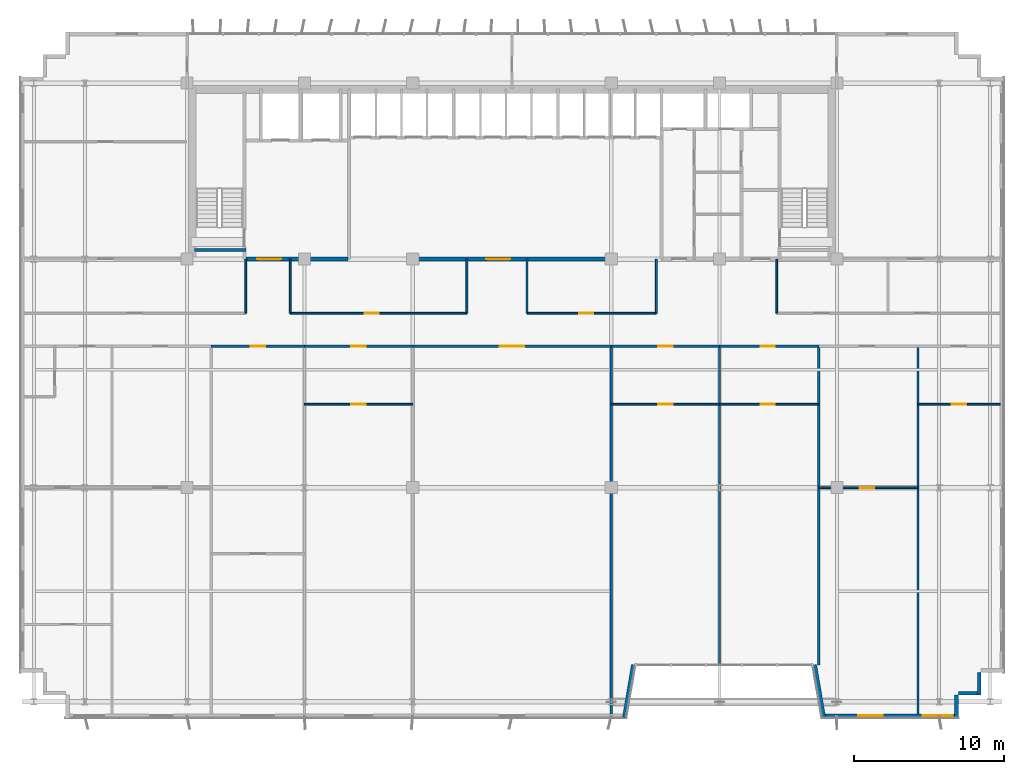
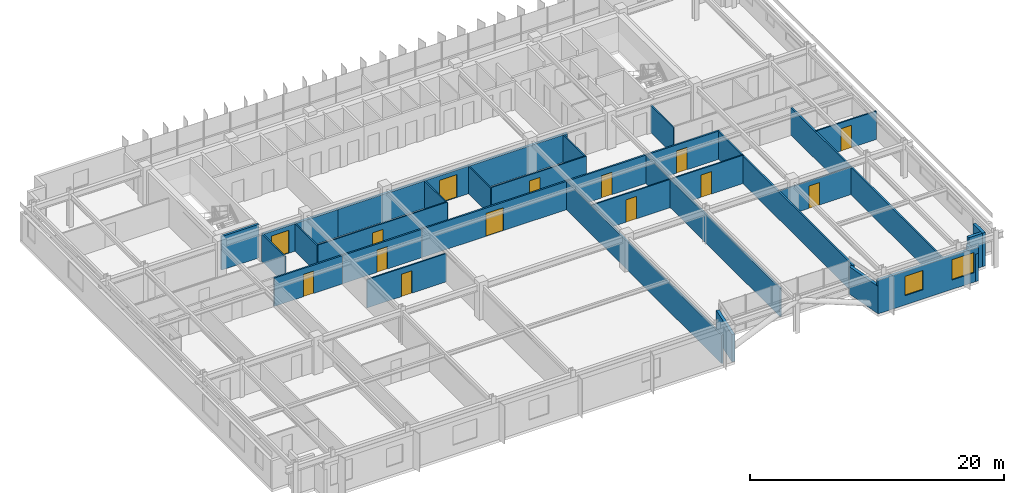
# One storey, part 20 of 26: 31 walls, 14 doors, 2 windows, 16 openings.
"""IFC4 building model written with IfcOpenShell, lengths in metres."""

from ifc_helpers import new_model, si_unit, direction, frame, frame_2d, origin, place, context, subcontext, project, spatial, rectangle, extrude, source, transform, mapped, material, layer, layer_set, type_object, element, fill, save


model = new_model("IFC4")

# Units and contexts
model_context = context("Model", 3, precision=1e-05, world=origin(), true_north=direction((0.0, 1.0)))
body_context = subcontext(model_context, "Body", "Model", "MODEL_VIEW")
ifc_project = project(units=[si_unit("LENGTHUNIT", "METRE"), si_unit("AREAUNIT", "SQUARE_METRE"), si_unit("VOLUMEUNIT", "CUBIC_METRE"), si_unit("PLANEANGLEUNIT", "RADIAN"), si_unit("MASSUNIT", "GRAM", prefix="KILO")], contexts=[model_context])

# Site, building, storey
site_placement = place(None, origin())
site = spatial("IfcSite", under=ifc_project, at=site_placement, CompositionType="ELEMENT")
building_placement = place(site_placement, origin())
building = spatial("IfcBuilding", under=site, at=building_placement, Name="Trelvane Seafront Commons", CompositionType="ELEMENT")
storey_placement = place(building_placement, frame((0.0, 0.0, 128.5)))
storey = spatial("IfcBuildingStorey", under=building, at=storey_placement, Name="L33", CompositionType="ELEMENT", Elevation=128.5)

# Walls
ifc_material_1 = material(Name="Precast concrete C40/50", Category="concrete")
ifc_layer_1 = layer(ifc_material_1, 0.260009765625, Name="ARCH-WALL-EXT260")
ifc_layer_set_1 = layer_set([ifc_layer_1], Name="Precast concrete C40/50")
wall_type_1 = type_object("IfcWallType", Name="ARCH-WALL-EXT260", PredefinedType="SOLIDWALL", material=ifc_layer_set_1)
for number, where, z_axis, x_axis, name in (
    (1, (68.27001953125, 5.89990234375, 0.0), (0.0, 0.0, 1.0), (0.0, -1.0, 0.0), "EW-L33-00645"),
    (2, (68.39990234375, 4.530029296875, 0.0), (0.0, 0.0, 1.0), (-1.0, 0.0, 0.0), "EW-L33-00646"),
):
    element("IfcWall", number, at=place(storey_placement, frame(where, z_axis=z_axis, x_axis=x_axis)), inside=storey, type_object=wall_type_1, Name=name, PredefinedType="SOLIDWALL", context=body_context, shape_type="SweptSolid", body=[
        extrude(rectangle(XDim=1.5, YDim=0.260009765625, at=frame_2d((0.75, 0.0))), origin(), (0.0, 0.0, 1.0), 3.219970703125),
    ])
wall_1_placement = place(storey_placement, frame((66.77001953125, 4.39990234375, 0.0), z_axis=(0.0, 0.0, 1.0), x_axis=(0.0, -1.0, 0.0)))
element("IfcWall", 3, at=wall_1_placement, inside=storey, type_object=wall_type_1, Name="EW-L33-00647", PredefinedType="SOLIDWALL", context=body_context, shape_type="SweptSolid", body=[
    extrude(rectangle(XDim=1.5, YDim=0.260009765625, at=frame_2d((0.75, 0.0))), origin(), (0.0, 0.0, 1.0), 2.632080078125),
])

# Wall, openings, windows
wall_2_placement = place(storey_placement, frame((66.89990234375, 3.030029296875, 0.0), z_axis=(0.0, 0.0, 1.0), x_axis=(-1.0, 0.0, 0.0)))
wall_2 = element("IfcWall", 4, at=wall_2_placement, inside=storey, type_object=wall_type_1, Name="EW-L33-00648", PredefinedType="SOLIDWALL", context=body_context, shape_type="SweptSolid", body=[
    extrude(rectangle(XDim=9.099853515625, YDim=0.260009765625, at=frame_2d((4.5498046875, 0.0))), origin(), (0.0, 0.0, 1.0), 3.219970703125),
])
opening_1_placement = place(wall_2_placement, frame((0.39501953125, 0.0, 0.89990234375)))
opening_1 = element("IfcOpeningElement", 5, at=opening_1_placement, cuts=wall_2, Name="Opening W06", PredefinedType="OPENING", context=body_context, shape_type="SweptSolid", body=[
    extrude(rectangle(XDim=2.0, YDim=1.949951171875, at=frame_2d((1.0, 0.97509765625))), frame((0.0, 0.139892578125, 0.0), z_axis=(0.0, -1.0, 0.0), x_axis=(1.0, 0.0, 0.0)), (0.0, 0.0, 1.0), 0.280029296875),
])
opening_2_placement = place(wall_2_placement, frame((5.030029296875, 0.0, 0.89990234375)))
opening_2 = element("IfcOpeningElement", 6, at=opening_2_placement, cuts=wall_2, Name="Opening W07", PredefinedType="OPENING", context=body_context, shape_type="SweptSolid", body=[
    extrude(rectangle(XDim=1.64990234375, YDim=1.85009765625, at=frame_2d((0.824951171875, 0.925048828125))), frame((0.0, 0.139892578125, 0.0), z_axis=(0.0, -1.0, 0.0), x_axis=(1.0, 0.0, 0.0)), (0.0, 0.0, 1.0), 0.280029296875),
])
ifc_material_2 = material(Name="Low-E coastal double glazing", Category="glass")
window_type_1 = type_object("IfcWindowType", Name="ARCH-WIN-W06", PartitioningType="SINGLE_PANEL", PredefinedType="WINDOW", material=ifc_material_2)
shared_shape_1 = source(origin(), body_context, "Body", "SweptSolid", [
    extrude(rectangle(XDim=2.0, YDim=1.949951171875, at=frame_2d((1.0, 0.97509765625))), frame((0.0, 0.030029296875, 0.0), z_axis=(0.0, -1.0, 0.0), x_axis=(1.0, 0.0, 0.0)), (0.0, 0.0, 1.0), 0.06005859375),
])
window_1_placement = place(opening_1_placement, origin())
window_1 = element("IfcWindow", 7, at=window_1_placement, inside=storey, type_object=window_type_1, Name="WIN-L33-00752", OverallHeight=1.949951171875, OverallWidth=2.0, PartitioningType="SINGLE_PANEL", PredefinedType="WINDOW", context=body_context, shape_type="MappedRepresentation", body=[
    mapped(shared_shape_1, transform((0.0, 0.0, 0.0), x_axis=(1.0, 0.0, 0.0), y_axis=(0.0, 1.0, 0.0), z_axis=(0.0, 0.0, 1.0), scale=1.0)),
])
fill(opening_1, window_1)
window_type_2 = type_object("IfcWindowType", Name="ARCH-WIN-W07", PartitioningType="SINGLE_PANEL", PredefinedType="WINDOW", material=ifc_material_2)
shared_shape_2 = source(origin(), body_context, "Body", "SweptSolid", [
    extrude(rectangle(XDim=1.64990234375, YDim=1.85009765625, at=frame_2d((0.824951171875, 0.925048828125))), frame((0.0, 0.030029296875, 0.0), z_axis=(0.0, -1.0, 0.0), x_axis=(1.0, 0.0, 0.0)), (0.0, 0.0, 1.0), 0.06005859375),
])
window_2_placement = place(opening_2_placement, origin())
window_2 = element("IfcWindow", 8, at=window_2_placement, inside=storey, type_object=window_type_2, Name="WIN-L33-00753", OverallHeight=1.85009765625, OverallWidth=1.64990234375, PartitioningType="SINGLE_PANEL", PredefinedType="WINDOW", context=body_context, shape_type="MappedRepresentation", body=[
    mapped(shared_shape_2, transform((0.0, 0.0, 0.0), x_axis=(1.0, 0.0, 0.0), y_axis=(0.0, 1.0, 0.0), z_axis=(0.0, 0.0, 1.0), scale=1.0)),
])
fill(opening_2, window_2)

# Walls
for number, where, z_axis, x_axis, name in (
    (9, (57.927978515625, 2.922119140625, 0.0), (0.0, 0.0, 1.0), (-0.168923741424, 0.98562912375, 0.0), "EW-L33-00649"),
    (10, (45.27197265625, 6.422119140625, 0.0), (0.0, 0.0, 1.0), (-0.168990530437, -0.98561767467, 0.0), "EW-L33-00650"),
):
    element("IfcWall", number, at=place(storey_placement, frame(where, z_axis=z_axis, x_axis=x_axis)), inside=storey, type_object=wall_type_1, Name=name, PredefinedType="SOLIDWALL", context=body_context, shape_type="SweptSolid", body=[
        extrude(rectangle(XDim=3.551025390625, YDim=0.260009765625, at=frame_2d((1.775390625, 0.0))), origin(), (0.0, 0.0, 1.0), 2.632080078125),
    ])

# Wall, opening, door
ifc_material_3 = material(Name="Concrete C40/50", Category="concrete")
ifc_layer_2 = layer(ifc_material_3, 0.25, Name="ARCH-WALL-FIRE250")
ifc_layer_set_2 = layer_set([ifc_layer_2], Name="Concrete C40/50")
wall_type_2 = type_object("IfcWallType", Name="ARCH-WALL-FIRE250", PredefinedType="PARTITIONING", material=ifc_layer_set_2)
wall_3_placement = place(storey_placement, frame((19.5, 33.39990234375, 0.0), z_axis=(0.0, 0.0, 1.0), x_axis=(1.0, 0.0, 0.0)))
wall_3 = element("IfcWall", 11, at=wall_3_placement, inside=storey, type_object=wall_type_2, Name="W-L33-CS-FFL-013", PredefinedType="PARTITIONING", context=body_context, shape_type="SweptSolid", body=[
    extrude(rectangle(XDim=6.800048828125, YDim=0.25, at=frame_2d((3.39990234375, 0.0))), origin(), (0.0, 0.0, 1.0), 2.632080078125),
])
opening_3_placement = place(wall_3_placement, frame((0.75, 0.0, 0.0)))
opening_3 = element("IfcOpeningElement", 12, at=opening_3_placement, cuts=wall_3, Name="Opening FD-L33-05", PredefinedType="OPENING", context=body_context, shape_type="SweptSolid", body=[
    extrude(rectangle(XDim=1.60009765625, YDim=2.199951171875, at=frame_2d((0.800048828125, 1.10009765625))), frame((0.0, 0.135009765625, 0.0), z_axis=(0.0, -1.0, 0.0), x_axis=(1.0, 0.0, 0.0)), (0.0, 0.0, 1.0), 0.27001953125),
])
ifc_material_4 = material(Name="Powder-coated aluminium frame", Category="aluminium")
door_type_1 = type_object("IfcDoorType", Name="ARCH-DR-FD60-1600", OperationType="DOUBLE_DOOR_SINGLE_SWING", PredefinedType="DOOR", material=ifc_material_4)
shared_shape_3 = source(origin(), body_context, "Body", "SweptSolid", [
    extrude(rectangle(XDim=1.60009765625, YDim=2.199951171875, at=frame_2d((0.800048828125, 1.10009765625))), frame((0.0, 0.02490234375, 0.0), z_axis=(0.0, -1.0, 0.0), x_axis=(1.0, 0.0, 0.0)), (0.0, 0.0, 1.0), 0.050048828125),
])
door_1_placement = place(opening_3_placement, origin())
door_1 = element("IfcDoor", 13, at=door_1_placement, inside=storey, type_object=door_type_1, Name="L33 Firefighting Lift Lobby Double Fire Door", OperationType="DOUBLE_DOOR_SINGLE_SWING", OverallHeight=2.199951171875, OverallWidth=1.60009765625, PredefinedType="DOOR", context=body_context, shape_type="MappedRepresentation", body=[
    mapped(shared_shape_3, transform((0.0, 0.0, 0.0), x_axis=(1.0, 0.0, 0.0), y_axis=(0.0, 1.0, 0.0), z_axis=(0.0, 0.0, 1.0), scale=1.0)),
])
fill(opening_3, door_1)

wall_4_placement = place(storey_placement, frame((26.300048828125, 33.39990234375, 0.0), z_axis=(0.0, 0.0, 1.0), x_axis=(1.0, 0.0, 0.0)))
wall_4 = element("IfcWall", 14, at=wall_4_placement, inside=storey, type_object=wall_type_2, Name="W-L33-CS-PAX-029", PredefinedType="PARTITIONING", context=body_context, shape_type="SweptSolid", body=[
    extrude(rectangle(XDim=20.849853515625, YDim=0.25, at=frame_2d((10.4248046875, 0.0))), origin(), (0.0, 0.0, 1.0), 2.632080078125),
])
opening_4_placement = place(wall_4_placement, frame((9.199951171875, 0.0, 0.0)))
opening_4 = element("IfcOpeningElement", 15, at=opening_4_placement, cuts=wall_4, Name="Opening FD-L33-18", PredefinedType="OPENING", context=body_context, shape_type="SweptSolid", body=[
    extrude(rectangle(XDim=1.60009765625, YDim=2.199951171875, at=frame_2d((0.800048828125, 1.10009765625))), frame((0.0, 0.135009765625, 0.0), z_axis=(0.0, -1.0, 0.0), x_axis=(1.0, 0.0, 0.0)), (0.0, 0.0, 1.0), 0.27001953125),
])
door_2_placement = place(opening_4_placement, origin())
door_2 = element("IfcDoor", 16, at=door_2_placement, inside=storey, type_object=door_type_1, Name="L33 Passenger Lift Lobby Double Door", OperationType="DOUBLE_DOOR_SINGLE_SWING", OverallHeight=2.199951171875, OverallWidth=1.60009765625, PredefinedType="DOOR", context=body_context, shape_type="MappedRepresentation", body=[
    mapped(shared_shape_3, transform((0.0, 0.0, 0.0), x_axis=(1.0, 0.0, 0.0), y_axis=(0.0, 1.0, 0.0), z_axis=(0.0, 0.0, 1.0), scale=1.0)),
])
fill(opening_4, door_2)

ifc_material_5 = material(Name="Gypsum Drywall Acoustic Partition")
ifc_layer_3 = layer(ifc_material_5, 0.1201171875, Name="ARCH-WALL-PART120")
ifc_layer_set_3 = layer_set([ifc_layer_3], Name="Gypsum Drywall Acoustic Partition")
wall_type_3 = type_object("IfcWallType", Name="ARCH-WALL-PART120", PredefinedType="PARTITIONING", material=ifc_layer_set_3)
wall_5_placement = place(storey_placement, frame((22.449951171875, 29.800048828125, 0.0), z_axis=(0.0, 0.0, 1.0), x_axis=(1.0, 0.0, 0.0)))
wall_5 = element("IfcWall", 17, at=wall_5_placement, inside=storey, type_object=wall_type_3, Name="W-L33-CORR-N-M1-040", PredefinedType="PARTITIONING", context=body_context, shape_type="SweptSolid", body=[
    extrude(rectangle(XDim=11.75, YDim=0.1201171875, at=frame_2d((5.875, 0.0))), origin(), (0.0, 0.0, 1.0), 2.719970703125),
])
opening_5_placement = place(wall_5_placement, frame((4.944091796875, 0.0, 0.0)))
opening_5 = element("IfcOpeningElement", 18, at=opening_5_placement, cuts=wall_5, Name="Opening D-L33-28", PredefinedType="OPENING", context=body_context, shape_type="SweptSolid", body=[
    extrude(rectangle(XDim=0.949951171875, YDim=2.14990234375, at=frame_2d((0.47509765625, 1.074951171875))), frame((0.0, 0.070068359375, 0.0), z_axis=(0.0, -1.0, 0.0), x_axis=(1.0, 0.0, 0.0)), (0.0, 0.0, 1.0), 0.14013671875),
])
ifc_material_6 = material(Name="Acoustic timber door leaf", Category="wood")
door_type_2 = type_object("IfcDoorType", Name="ARCH-DR-INT950", OperationType="NOTDEFINED", PredefinedType="DOOR", material=ifc_material_6)
shared_shape_4 = source(origin(), body_context, "Body", "SweptSolid", [
    extrude(rectangle(XDim=0.949951171875, YDim=2.14990234375, at=frame_2d((0.47509765625, 1.074951171875))), frame((0.0, 0.02490234375, 0.0), z_axis=(0.0, -1.0, 0.0), x_axis=(1.0, 0.0, 0.0)), (0.0, 0.0, 1.0), 0.050048828125),
])
door_3_placement = place(opening_5_placement, origin())
door_3 = element("IfcDoor", 19, at=door_3_placement, inside=storey, type_object=door_type_2, Name="L33 Door 28", OperationType="SINGLE_SWING_RIGHT", OverallHeight=2.14990234375, OverallWidth=0.949951171875, PredefinedType="DOOR", context=body_context, shape_type="MappedRepresentation", body=[
    mapped(shared_shape_4, transform((0.0, 0.0, 0.0), x_axis=(1.0, 0.0, 0.0), y_axis=(0.0, 1.0, 0.0), z_axis=(0.0, 0.0, 1.0), scale=1.0)),
])
fill(opening_5, door_3)

wall_6_placement = place(storey_placement, frame((38.199951171875, 29.800048828125, 0.0), z_axis=(0.0, 0.0, 1.0), x_axis=(1.0, 0.0, 0.0)))
wall_6 = element("IfcWall", 20, at=wall_6_placement, inside=storey, type_object=wall_type_3, Name="W-L33-CORR-N-M2-041", PredefinedType="PARTITIONING", context=body_context, shape_type="SweptSolid", body=[
    extrude(rectangle(XDim=8.60009765625, YDim=0.1201171875, at=frame_2d((4.300048828125, 0.0))), origin(), (0.0, 0.0, 1.0), 2.719970703125),
])
opening_6_placement = place(wall_6_placement, frame((3.4619140625, 0.0, 0.0)))
opening_6 = element("IfcOpeningElement", 21, at=opening_6_placement, cuts=wall_6, Name="Opening D-L33-29", PredefinedType="OPENING", context=body_context, shape_type="SweptSolid", body=[
    extrude(rectangle(XDim=0.949951171875, YDim=2.14990234375, at=frame_2d((0.47509765625, 1.074951171875))), frame((0.0, 0.070068359375, 0.0), z_axis=(0.0, -1.0, 0.0), x_axis=(1.0, 0.0, 0.0)), (0.0, 0.0, 1.0), 0.14013671875),
])
door_4_placement = place(opening_6_placement, origin())
door_4 = element("IfcDoor", 22, at=door_4_placement, inside=storey, type_object=door_type_2, Name="L33 Door 29", OperationType="SINGLE_SWING_LEFT", OverallHeight=2.14990234375, OverallWidth=0.949951171875, PredefinedType="DOOR", context=body_context, shape_type="MappedRepresentation", body=[
    mapped(shared_shape_4, transform((0.0, 0.0, 0.0), x_axis=(1.0, 0.0, 0.0), y_axis=(0.0, 1.0, 0.0), z_axis=(0.0, 0.0, 1.0), scale=1.0)),
])
fill(opening_6, door_4)

# Walls
for number, where, z_axis, x_axis, name in (
    (23, (19.5, 29.800048828125, 0.0), (0.0, 0.0, 1.0), (0.0, 1.0, 0.0), "W-L33-N-SPUR-W1-044"),
    (24, (22.449951171875, 29.800048828125, 0.0), (0.0, 0.0, 1.0), (0.0, 1.0, 0.0), "W-L33-N-SPUR-W2-045"),
    (25, (34.199951171875, 29.800048828125, 0.0), (0.0, 0.0, 1.0), (0.0, 1.0, 0.0), "W-L33-N-SPUR-M1-046"),
    (26, (38.199951171875, 29.800048828125, 0.0), (0.0, 0.0, 1.0), (0.0, 1.0, 0.0), "W-L33-N-SPUR-M2-047"),
    (27, (46.800048828125, 29.800048828125, 0.0), (0.0, 0.0, 1.0), (0.0, 1.0, 0.0), "W-L33-N-SPUR-E1-048"),
    (28, (54.800048828125, 29.800048828125, 0.0), (0.0, 0.0, 1.0), (0.0, 1.0, 0.0), "W-L33-N-SPUR-E2-049"),
):
    element("IfcWall", number, at=place(storey_placement, frame(where, z_axis=z_axis, x_axis=x_axis)), inside=storey, type_object=wall_type_3, Name=name, PredefinedType="PARTITIONING", context=body_context, shape_type="SweptSolid", body=[
        extrude(rectangle(XDim=3.599853515625, YDim=0.1201171875, at=frame_2d((1.7998046875, 0.0))), origin(), (0.0, 0.0, 1.0), 2.632080078125),
    ])

# Wall, opening, door
wall_7_placement = place(storey_placement, frame((23.39990234375, 23.75, 0.0), z_axis=(0.0, 0.0, 1.0), x_axis=(1.0, 0.0, 0.0)))
wall_7 = element("IfcWall", 29, at=wall_7_placement, inside=storey, type_object=wall_type_3, Name="W-L33-U4-DIV-074", PredefinedType="PARTITIONING", context=body_context, shape_type="SweptSolid", body=[
    extrude(rectangle(XDim=7.2001953125, YDim=0.1201171875, at=frame_2d((3.60009765625, 0.0))), origin(), (0.0, 0.0, 1.0), 2.719970703125),
])
opening_7_placement = place(wall_7_placement, frame((3.125, 0.0, 0.0)))
opening_7 = element("IfcOpeningElement", 30, at=opening_7_placement, cuts=wall_7, Name="Opening D-L33-47", PredefinedType="OPENING", context=body_context, shape_type="SweptSolid", body=[
    extrude(rectangle(XDim=0.949951171875, YDim=2.14990234375, at=frame_2d((0.47509765625, 1.074951171875))), frame((0.0, 0.070068359375, 0.0), z_axis=(0.0, -1.0, 0.0), x_axis=(1.0, 0.0, 0.0)), (0.0, 0.0, 1.0), 0.14013671875),
])
door_5_placement = place(opening_7_placement, origin())
door_5 = element("IfcDoor", 31, at=door_5_placement, inside=storey, type_object=door_type_2, Name="L33 Door 47", OperationType="SINGLE_SWING_LEFT", OverallHeight=2.14990234375, OverallWidth=0.949951171875, PredefinedType="DOOR", context=body_context, shape_type="MappedRepresentation", body=[
    mapped(shared_shape_4, transform((0.0, 0.0, 0.0), x_axis=(1.0, 0.0, 0.0), y_axis=(0.0, 1.0, 0.0), z_axis=(0.0, 0.0, 1.0), scale=1.0)),
])
fill(opening_7, door_5)

wall_8_placement = place(storey_placement, frame((43.800048828125, 23.75, 0.0), z_axis=(0.0, 0.0, 1.0), x_axis=(1.0, 0.0, 0.0)))
wall_8 = element("IfcWall", 32, at=wall_8_placement, inside=storey, type_object=wall_type_3, Name="W-L33-U6-DIV-077", PredefinedType="PARTITIONING", context=body_context, shape_type="SweptSolid", body=[
    extrude(rectangle(XDim=7.199951171875, YDim=0.1201171875, at=frame_2d((3.60009765625, 0.0))), origin(), (0.0, 0.0, 1.0), 2.719970703125),
])
opening_8_placement = place(wall_8_placement, frame((3.125, 0.0, 0.0)))
opening_8 = element("IfcOpeningElement", 33, at=opening_8_placement, cuts=wall_8, Name="Opening D-L33-50", PredefinedType="OPENING", context=body_context, shape_type="SweptSolid", body=[
    extrude(rectangle(XDim=0.949951171875, YDim=2.14990234375, at=frame_2d((0.47509765625, 1.074951171875))), frame((0.0, 0.070068359375, 0.0), z_axis=(0.0, -1.0, 0.0), x_axis=(1.0, 0.0, 0.0)), (0.0, 0.0, 1.0), 0.14013671875),
])
door_6_placement = place(opening_8_placement, origin())
door_6 = element("IfcDoor", 34, at=door_6_placement, inside=storey, type_object=door_type_2, Name="L33 Door 50", OperationType="SINGLE_SWING_RIGHT", OverallHeight=2.14990234375, OverallWidth=0.949951171875, PredefinedType="DOOR", context=body_context, shape_type="MappedRepresentation", body=[
    mapped(shared_shape_4, transform((0.0, 0.0, 0.0), x_axis=(1.0, 0.0, 0.0), y_axis=(0.0, 1.0, 0.0), z_axis=(0.0, 0.0, 1.0), scale=1.0)),
])
fill(opening_8, door_6)

wall_9_placement = place(storey_placement, frame((51.0, 23.75, 0.0), z_axis=(0.0, 0.0, 1.0), x_axis=(1.0, 0.0, 0.0)))
wall_9 = element("IfcWall", 35, at=wall_9_placement, inside=storey, type_object=wall_type_3, Name="W-L33-U7-DIV-079", PredefinedType="PARTITIONING", context=body_context, shape_type="SweptSolid", body=[
    extrude(rectangle(XDim=6.60009765625, YDim=0.1201171875, at=frame_2d((3.300048828125, 0.0))), origin(), (0.0, 0.0, 1.0), 2.719970703125),
])
opening_9_placement = place(wall_9_placement, frame((2.73388671875, 0.0, 0.0)))
opening_9 = element("IfcOpeningElement", 36, at=opening_9_placement, cuts=wall_9, Name="Opening D-L33-52", PredefinedType="OPENING", context=body_context, shape_type="SweptSolid", body=[
    extrude(rectangle(XDim=0.949951171875, YDim=2.14990234375, at=frame_2d((0.47509765625, 1.074951171875))), frame((0.0, 0.070068359375, 0.0), z_axis=(0.0, -1.0, 0.0), x_axis=(1.0, 0.0, 0.0)), (0.0, 0.0, 1.0), 0.14013671875),
])
door_7_placement = place(opening_9_placement, origin())
door_7 = element("IfcDoor", 37, at=door_7_placement, inside=storey, type_object=door_type_2, Name="L33 Door 52", OperationType="SINGLE_SWING_RIGHT", OverallHeight=2.14990234375, OverallWidth=0.949951171875, PredefinedType="DOOR", context=body_context, shape_type="MappedRepresentation", body=[
    mapped(shared_shape_4, transform((0.0, 0.0, 0.0), x_axis=(1.0, 0.0, 0.0), y_axis=(0.0, 1.0, 0.0), z_axis=(0.0, 0.0, 1.0), scale=1.0)),
])
fill(opening_9, door_7)

wall_10_placement = place(storey_placement, frame((57.60009765625, 18.199951171875, 0.0), z_axis=(0.0, 0.0, 1.0), x_axis=(1.0, 0.0, 0.0)))
wall_10 = element("IfcWall", 38, at=wall_10_placement, inside=storey, type_object=wall_type_3, Name="W-L33-U8-DIV-081", PredefinedType="PARTITIONING", context=body_context, shape_type="SweptSolid", body=[
    extrude(rectangle(XDim=6.599853515625, YDim=0.1201171875, at=frame_2d((3.2998046875, 0.0))), origin(), (0.0, 0.0, 1.0), 2.632080078125),
])
opening_10_placement = place(wall_10_placement, frame((2.73388671875, 0.0, 0.0)))
opening_10 = element("IfcOpeningElement", 39, at=opening_10_placement, cuts=wall_10, Name="Opening D-L33-54", PredefinedType="OPENING", context=body_context, shape_type="SweptSolid", body=[
    extrude(rectangle(XDim=0.949951171875, YDim=2.14990234375, at=frame_2d((0.47509765625, 1.074951171875))), frame((0.0, 0.070068359375, 0.0), z_axis=(0.0, -1.0, 0.0), x_axis=(1.0, 0.0, 0.0)), (0.0, 0.0, 1.0), 0.14013671875),
])
door_8_placement = place(opening_10_placement, origin())
door_8 = element("IfcDoor", 40, at=door_8_placement, inside=storey, type_object=door_type_2, Name="L33 Door 54", OperationType="SINGLE_SWING_RIGHT", OverallHeight=2.14990234375, OverallWidth=0.949951171875, PredefinedType="DOOR", context=body_context, shape_type="MappedRepresentation", body=[
    mapped(shared_shape_4, transform((0.0, 0.0, 0.0), x_axis=(1.0, 0.0, 0.0), y_axis=(0.0, 1.0, 0.0), z_axis=(0.0, 0.0, 1.0), scale=1.0)),
])
fill(opening_10, door_8)

wall_11_placement = place(storey_placement, frame((64.199951171875, 23.75, 0.0), z_axis=(0.0, 0.0, 1.0), x_axis=(1.0, 0.0, 0.0)))
wall_11 = element("IfcWall", 41, at=wall_11_placement, inside=storey, type_object=wall_type_3, Name="W-L33-U9-DIV-083", PredefinedType="PARTITIONING", context=body_context, shape_type="SweptSolid", body=[
    extrude(rectangle(XDim=5.455078125, YDim=0.1201171875, at=frame_2d((2.7275390625, 0.0))), origin(), (0.0, 0.0, 1.0), 2.719970703125),
])
opening_11_placement = place(wall_11_placement, frame((2.251953125, 0.0, 0.0)))
opening_11 = element("IfcOpeningElement", 42, at=opening_11_placement, cuts=wall_11, Name="Opening D-L33-56", PredefinedType="OPENING", context=body_context, shape_type="SweptSolid", body=[
    extrude(rectangle(XDim=0.949951171875, YDim=2.14990234375, at=frame_2d((0.47509765625, 1.074951171875))), frame((0.0, 0.070068359375, 0.0), z_axis=(0.0, -1.0, 0.0), x_axis=(1.0, 0.0, 0.0)), (0.0, 0.0, 1.0), 0.14013671875),
])
door_9_placement = place(opening_11_placement, origin())
door_9 = element("IfcDoor", 43, at=door_9_placement, inside=storey, type_object=door_type_2, Name="L33 Door 56", OperationType="SINGLE_SWING_RIGHT", OverallHeight=2.14990234375, OverallWidth=0.949951171875, PredefinedType="DOOR", context=body_context, shape_type="MappedRepresentation", body=[
    mapped(shared_shape_4, transform((0.0, 0.0, 0.0), x_axis=(1.0, 0.0, 0.0), y_axis=(0.0, 1.0, 0.0), z_axis=(0.0, 0.0, 1.0), scale=1.0)),
])
fill(opening_11, door_9)

# Walls
ifc_layer_4 = layer(ifc_material_5, 0.14990234375, Name="ARCH-WALL-PART150")
ifc_layer_set_4 = layer_set([ifc_layer_4], Name="Gypsum Drywall Acoustic Partition")
wall_type_4 = type_object("IfcWallType", Name="ARCH-WALL-PART150", PredefinedType="PARTITIONING", material=ifc_layer_set_4)
wall_12_placement = place(storey_placement, frame((43.800048828125, 3.14501953125, 0.0), z_axis=(0.0, 0.0, 1.0), x_axis=(0.0, 1.0, 0.0)))
element("IfcWall", 44, at=wall_12_placement, inside=storey, type_object=wall_type_4, Name="W-L33-PW-5-060", PredefinedType="PARTITIONING", context=body_context, shape_type="SweptSolid", body=[
    extrude(rectangle(XDim=24.455078125, YDim=0.14990234375, at=frame_2d((12.2275390625, 0.0))), origin(), (0.0, 0.0, 1.0), 2.719970703125),
])
wall_13_placement = place(storey_placement, frame((51.0, 6.409912109375, 0.0), z_axis=(0.0, 0.0, 1.0), x_axis=(0.0, 1.0, 0.0)))
element("IfcWall", 45, at=wall_13_placement, inside=storey, type_object=wall_type_4, Name="W-L33-PW-6-061", PredefinedType="PARTITIONING", context=body_context, shape_type="SweptSolid", body=[
    extrude(rectangle(XDim=21.190185546875, YDim=0.14990234375, at=frame_2d((10.59521484375, 0.0))), origin(), (0.0, 0.0, 1.0), 2.719970703125),
])
wall_14_placement = place(storey_placement, frame((57.60009765625, 6.396728515625, 0.0), z_axis=(0.0, 0.0, 1.0), x_axis=(0.0, 1.0, 0.0)))
element("IfcWall", 46, at=wall_14_placement, inside=storey, type_object=wall_type_4, Name="W-L33-PW-7-062", PredefinedType="PARTITIONING", context=body_context, shape_type="SweptSolid", body=[
    extrude(rectangle(XDim=21.203369140625, YDim=0.14990234375, at=frame_2d((10.6015625, 0.0))), origin(), (0.0, 0.0, 1.0), 2.632080078125),
])
wall_15_placement = place(storey_placement, frame((64.199951171875, 3.14501953125, 0.0), z_axis=(0.0, 0.0, 1.0), x_axis=(0.0, 1.0, 0.0)))
element("IfcWall", 47, at=wall_15_placement, inside=storey, type_object=wall_type_4, Name="W-L33-PW-8-063", PredefinedType="PARTITIONING", context=body_context, shape_type="SweptSolid", body=[
    extrude(rectangle(XDim=24.455078125, YDim=0.14990234375, at=frame_2d((12.2275390625, 0.0))), origin(), (0.0, 0.0, 1.0), 2.632080078125),
])

# Wall, opening, door
wall_16_placement = place(storey_placement, frame((17.199951171875, 27.60009765625, 0.0), z_axis=(0.0, 0.0, 1.0), x_axis=(1.0, 0.0, 0.0)))
wall_16 = element("IfcWall", 48, at=wall_16_placement, inside=storey, type_object=wall_type_4, Name="W-L33-CS-BAY-3-071", PredefinedType="PARTITIONING", context=body_context, shape_type="SweptSolid", body=[
    extrude(rectangle(XDim=6.199951171875, YDim=0.14990234375, at=frame_2d((3.10009765625, 0.0))), origin(), (0.0, 0.0, 1.0), 2.719970703125),
])
opening_12_placement = place(wall_16_placement, frame((2.625, 0.0, 0.0)))
opening_12 = element("IfcOpeningElement", 49, at=opening_12_placement, cuts=wall_16, Name="Opening FD-L33-44", PredefinedType="OPENING", context=body_context, shape_type="SweptSolid", body=[
    extrude(rectangle(XDim=0.949951171875, YDim=2.14990234375, at=frame_2d((0.47509765625, 1.074951171875))), frame((0.0, 0.0849609375, 0.0), z_axis=(0.0, -1.0, 0.0), x_axis=(1.0, 0.0, 0.0)), (0.0, 0.0, 1.0), 0.169921875),
])
door_type_3 = type_object("IfcDoorType", Name="ARCH-DR-FD60-950", OperationType="NOTDEFINED", PredefinedType="DOOR", material=ifc_material_4)
door_10_placement = place(opening_12_placement, origin())
door_10 = element("IfcDoor", 50, at=door_10_placement, inside=storey, type_object=door_type_3, Name="L33 Bay 03 Entrance Door", OperationType="SINGLE_SWING_RIGHT", OverallHeight=2.14990234375, OverallWidth=0.949951171875, PredefinedType="DOOR", context=body_context, shape_type="MappedRepresentation", body=[
    mapped(shared_shape_4, transform((0.0, 0.0, 0.0), x_axis=(1.0, 0.0, 0.0), y_axis=(0.0, 1.0, 0.0), z_axis=(0.0, 0.0, 1.0), scale=1.0)),
])
fill(opening_12, door_10)

wall_17_placement = place(storey_placement, frame((23.39990234375, 27.60009765625, 0.0), z_axis=(0.0, 0.0, 1.0), x_axis=(1.0, 0.0, 0.0)))
wall_17 = element("IfcWall", 51, at=wall_17_placement, inside=storey, type_object=wall_type_4, Name="W-L33-CS-BAY-4-073", PredefinedType="PARTITIONING", context=body_context, shape_type="SweptSolid", body=[
    extrude(rectangle(XDim=7.2001953125, YDim=0.14990234375, at=frame_2d((3.60009765625, 0.0))), origin(), (0.0, 0.0, 1.0), 2.719970703125),
])
opening_13_placement = place(wall_17_placement, frame((3.125, 0.0, 0.0)))
opening_13 = element("IfcOpeningElement", 52, at=opening_13_placement, cuts=wall_17, Name="Opening FD-L33-46", PredefinedType="OPENING", context=body_context, shape_type="SweptSolid", body=[
    extrude(rectangle(XDim=0.949951171875, YDim=2.14990234375, at=frame_2d((0.47509765625, 1.074951171875))), frame((0.0, 0.0849609375, 0.0), z_axis=(0.0, -1.0, 0.0), x_axis=(1.0, 0.0, 0.0)), (0.0, 0.0, 1.0), 0.169921875),
])
door_11_placement = place(opening_13_placement, origin())
door_11 = element("IfcDoor", 53, at=door_11_placement, inside=storey, type_object=door_type_3, Name="L33 Bay 04 Entrance Door", OperationType="SINGLE_SWING_RIGHT", OverallHeight=2.14990234375, OverallWidth=0.949951171875, PredefinedType="DOOR", context=body_context, shape_type="MappedRepresentation", body=[
    mapped(shared_shape_4, transform((0.0, 0.0, 0.0), x_axis=(1.0, 0.0, 0.0), y_axis=(0.0, 1.0, 0.0), z_axis=(0.0, 0.0, 1.0), scale=1.0)),
])
fill(opening_13, door_11)

wall_18_placement = place(storey_placement, frame((30.60009765625, 27.60009765625, 0.0), z_axis=(0.0, 0.0, 1.0), x_axis=(1.0, 0.0, 0.0)))
wall_18 = element("IfcWall", 54, at=wall_18_placement, inside=storey, type_object=wall_type_4, Name="W-L33-CS-BAY-5-075", PredefinedType="PARTITIONING", context=body_context, shape_type="SweptSolid", body=[
    extrude(rectangle(XDim=13.199951171875, YDim=0.14990234375, at=frame_2d((6.60009765625, 0.0))), origin(), (0.0, 0.0, 1.0), 2.719970703125),
])
opening_14_placement = place(wall_18_placement, frame((5.800048828125, 0.0, 0.0)))
opening_14 = element("IfcOpeningElement", 55, at=opening_14_placement, cuts=wall_18, Name="Opening D-L33-48", PredefinedType="OPENING", context=body_context, shape_type="SweptSolid", body=[
    extrude(rectangle(XDim=1.60009765625, YDim=2.199951171875, at=frame_2d((0.800048828125, 1.10009765625))), frame((0.0, 0.0849609375, 0.0), z_axis=(0.0, -1.0, 0.0), x_axis=(1.0, 0.0, 0.0)), (0.0, 0.0, 1.0), 0.169921875),
])
door_type_4 = type_object("IfcDoorType", Name="ARCH-DR-GLZ1600", OperationType="DOUBLE_DOOR_SINGLE_SWING", PredefinedType="DOOR", material=ifc_material_6)
door_12_placement = place(opening_14_placement, origin())
door_12 = element("IfcDoor", 56, at=door_12_placement, inside=storey, type_object=door_type_4, Name="L33 Commons Lounge 05 Door", OperationType="DOUBLE_DOOR_SINGLE_SWING", OverallHeight=2.199951171875, OverallWidth=1.60009765625, PredefinedType="DOOR", context=body_context, shape_type="MappedRepresentation", body=[
    mapped(shared_shape_3, transform((0.0, 0.0, 0.0), x_axis=(1.0, 0.0, 0.0), y_axis=(0.0, 1.0, 0.0), z_axis=(0.0, 0.0, 1.0), scale=1.0)),
])
fill(opening_14, door_12)

wall_19_placement = place(storey_placement, frame((43.800048828125, 27.60009765625, 0.0), z_axis=(0.0, 0.0, 1.0), x_axis=(1.0, 0.0, 0.0)))
wall_19 = element("IfcWall", 57, at=wall_19_placement, inside=storey, type_object=wall_type_4, Name="W-L33-CS-BAY-6-076", PredefinedType="PARTITIONING", context=body_context, shape_type="SweptSolid", body=[
    extrude(rectangle(XDim=7.199951171875, YDim=0.14990234375, at=frame_2d((3.60009765625, 0.0))), origin(), (0.0, 0.0, 1.0), 2.719970703125),
])
opening_15_placement = place(wall_19_placement, frame((3.125, 0.0, 0.0)))
opening_15 = element("IfcOpeningElement", 58, at=opening_15_placement, cuts=wall_19, Name="Opening FD-L33-49", PredefinedType="OPENING", context=body_context, shape_type="SweptSolid", body=[
    extrude(rectangle(XDim=0.949951171875, YDim=2.14990234375, at=frame_2d((0.47509765625, 1.074951171875))), frame((0.0, 0.0849609375, 0.0), z_axis=(0.0, -1.0, 0.0), x_axis=(1.0, 0.0, 0.0)), (0.0, 0.0, 1.0), 0.169921875),
])
door_13_placement = place(opening_15_placement, origin())
door_13 = element("IfcDoor", 59, at=door_13_placement, inside=storey, type_object=door_type_3, Name="L33 Bay 06 Entrance Door", OperationType="SINGLE_SWING_LEFT", OverallHeight=2.14990234375, OverallWidth=0.949951171875, PredefinedType="DOOR", context=body_context, shape_type="MappedRepresentation", body=[
    mapped(shared_shape_4, transform((0.0, 0.0, 0.0), x_axis=(1.0, 0.0, 0.0), y_axis=(0.0, 1.0, 0.0), z_axis=(0.0, 0.0, 1.0), scale=1.0)),
])
fill(opening_15, door_13)

wall_20_placement = place(storey_placement, frame((51.0, 27.60009765625, 0.0), z_axis=(0.0, 0.0, 1.0), x_axis=(1.0, 0.0, 0.0)))
wall_20 = element("IfcWall", 60, at=wall_20_placement, inside=storey, type_object=wall_type_4, Name="W-L33-CS-BAY-7-078", PredefinedType="PARTITIONING", context=body_context, shape_type="SweptSolid", body=[
    extrude(rectangle(XDim=6.60009765625, YDim=0.14990234375, at=frame_2d((3.300048828125, 0.0))), origin(), (0.0, 0.0, 1.0), 2.719970703125),
])
opening_16_placement = place(wall_20_placement, frame((2.73388671875, 0.0, 0.0)))
opening_16 = element("IfcOpeningElement", 61, at=opening_16_placement, cuts=wall_20, Name="Opening FD-L33-51", PredefinedType="OPENING", context=body_context, shape_type="SweptSolid", body=[
    extrude(rectangle(XDim=0.949951171875, YDim=2.14990234375, at=frame_2d((0.47509765625, 1.074951171875))), frame((0.0, 0.0849609375, 0.0), z_axis=(0.0, -1.0, 0.0), x_axis=(1.0, 0.0, 0.0)), (0.0, 0.0, 1.0), 0.169921875),
])
door_14_placement = place(opening_16_placement, origin())
door_14 = element("IfcDoor", 62, at=door_14_placement, inside=storey, type_object=door_type_3, Name="L33 Bay 07 Entrance Door", OperationType="SINGLE_SWING_LEFT", OverallHeight=2.14990234375, OverallWidth=0.949951171875, PredefinedType="DOOR", context=body_context, shape_type="MappedRepresentation", body=[
    mapped(shared_shape_4, transform((0.0, 0.0, 0.0), x_axis=(1.0, 0.0, 0.0), y_axis=(0.0, 1.0, 0.0), z_axis=(0.0, 0.0, 1.0), scale=1.0)),
])
fill(opening_16, door_14)

# Wall
ifc_material_7 = material(Name="Concrete C50/60", Category="concrete")
ifc_layer_5 = layer(ifc_material_7, 0.199951171875, Name="STR-WALL-STAIR200")
ifc_layer_set_5 = layer_set([ifc_layer_5], Name="Concrete C50/60")
wall_type_5 = type_object("IfcWallType", Name="STR-WALL-STAIR200", PredefinedType="SHEAR", material=ifc_layer_set_5)
wall_21_placement = place(storey_placement, frame((16.10009765625, 34.0, 0.0), z_axis=(0.0, 0.0, 1.0), x_axis=(1.0, 0.0, 0.0)))
element("IfcWall", 63, at=wall_21_placement, inside=storey, type_object=wall_type_5, Name="W-L33-ST1-S-004", PredefinedType="SHEAR", context=body_context, shape_type="SweptSolid", body=[
    extrude(rectangle(XDim=3.39990234375, YDim=0.199951171875, at=frame_2d((1.699951171875, 0.0))), origin(), (0.0, 0.0, 1.0), 3.219970703125),
])

save(model, "model.ifc")
